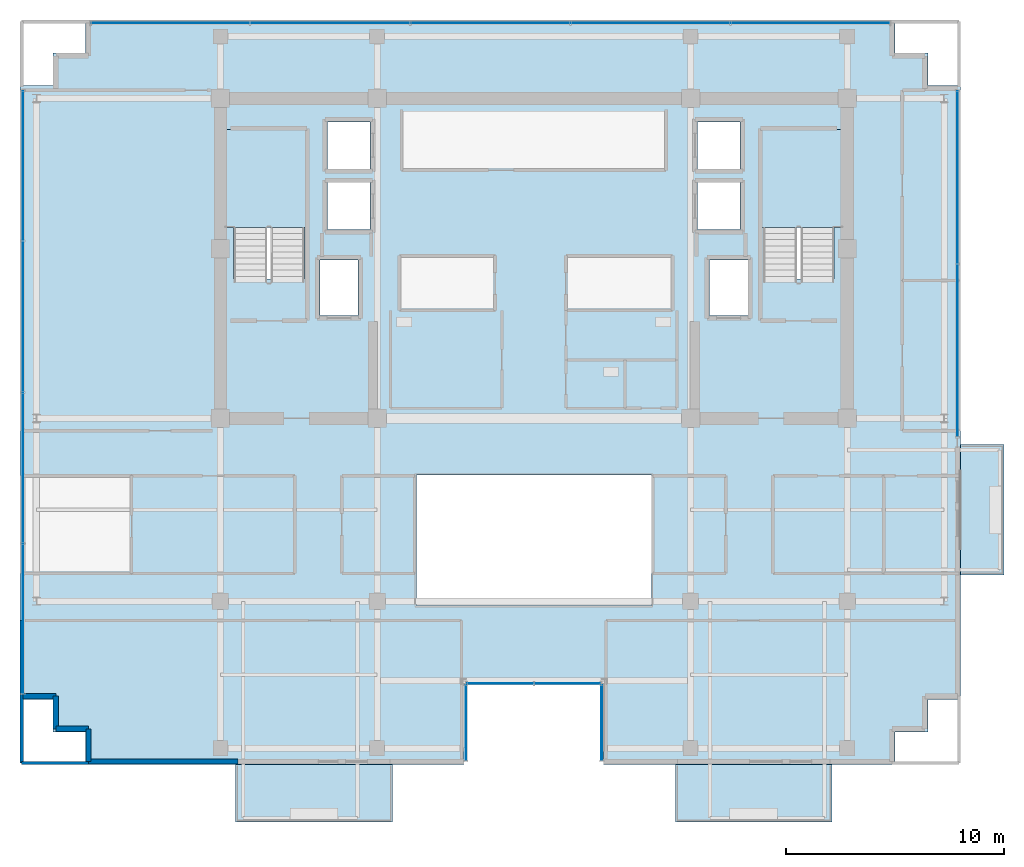
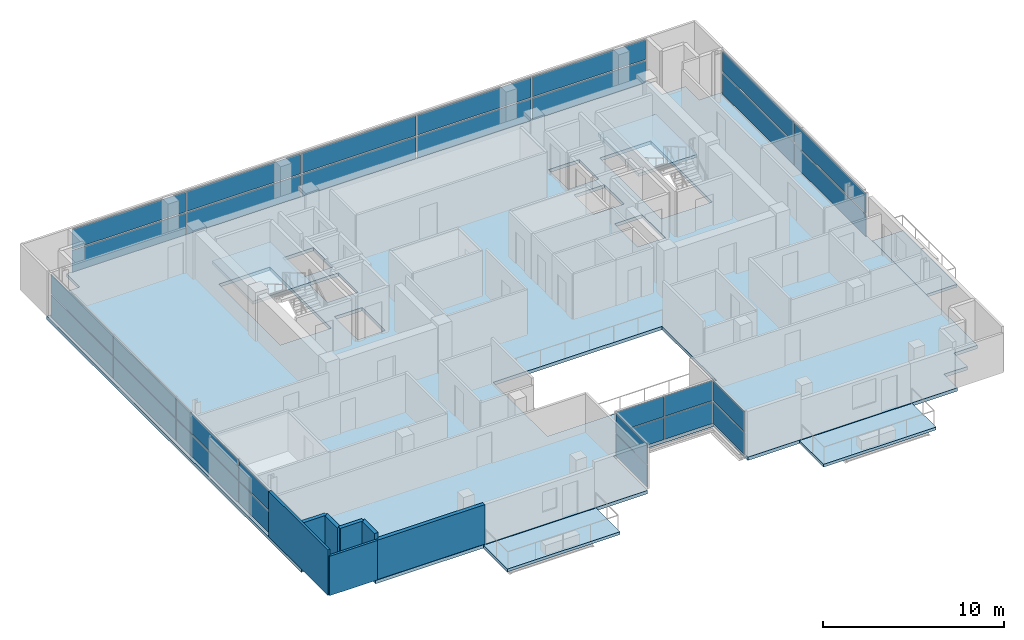
# One storey, part 15 of 23: 30 plates, 7 walls, 6 slabs, 8 elements without a shape of their own.
"""IFC4 building model written with IfcOpenShell, lengths in metres."""

from ifc_helpers import new_model, si_unit, direction, frame, frame_2d, origin, origin_2d, place, context, subcontext, project, spatial, polyline, rectangle, outline, extrude, source, transform, mapped, material, layer, layer_set, type_object, element, aggregate, save


model = new_model("IFC4")

# Units and contexts
model_context = context("Model", 3, precision=1e-05, world=origin(), true_north=direction((0.0, 1.0)))
body_context = subcontext(model_context, "Body", "Model", "MODEL_VIEW")
ifc_project = project(units=[si_unit("LENGTHUNIT", "METRE"), si_unit("AREAUNIT", "SQUARE_METRE"), si_unit("VOLUMEUNIT", "CUBIC_METRE"), si_unit("PLANEANGLEUNIT", "RADIAN"), si_unit("MASSUNIT", "GRAM", prefix="KILO")], contexts=[model_context])

# Site, building, storey
site_placement = place(None, origin())
site = spatial("IfcSite", under=ifc_project, at=site_placement, CompositionType="ELEMENT")
building_placement = place(site_placement, origin())
building = spatial("IfcBuilding", under=site, at=building_placement, Name="Zarnakvel Exchange Tower", CompositionType="ELEMENT")
storey_placement = place(building_placement, frame((0.0, 0.0, 218.800048828125)))
storey = spatial("IfcBuildingStorey", under=building, at=storey_placement, Name="L61", CompositionType="ELEMENT", Elevation=218.800048828125)

# Stair, slab
ifc_material_1 = material(Name="Concrete C40/50", Category="concrete")
stair_type = type_object("IfcStairType", Name="STR-01", PredefinedType="HALF_TURN_STAIR", material=ifc_material_1)
stair_1_placement = place(storey_placement, origin())
stair_1 = element("IfcStair", 1, at=stair_1_placement, inside=storey, type_object=stair_type, Name="L61 Protected Core Exit Stair ST-01", PredefinedType="HALF_TURN_STAIR")
ifc_layer_1 = layer(ifc_material_1, 0.199951171875)
ifc_layer_set_1 = layer_set([ifc_layer_1], Name="Concrete C40/50")
slab_type_1 = type_object("IfcSlabType", Name="LDG-01", PredefinedType="LANDING", material=ifc_layer_set_1)
slab_1_placement = place(storey_placement, frame((0.0, 0.0, 1.449951171875)))
slab_1 = element("IfcSlab", 2, at=slab_1_placement, type_object=slab_type_1, Name="ST-01 landing 1", PredefinedType="LANDING", context=body_context, shape_type="SweptSolid", body=[
    extrude(outline(polyline([(-14.18994140625, 7.570068359375), (-10.4599609375, 7.570068359375), (-10.4599609375, 12.080078125), (-14.18994140625, 12.080078125), (-14.18994140625, 7.570068359375)])), origin(), (0.0, 0.0, 1.0), 0.199951171875),
])
aggregate(stair_1, [slab_1])

stair_2_placement = place(storey_placement, origin())
stair_2 = element("IfcStair", 3, at=stair_2_placement, inside=storey, type_object=stair_type, Name="L61 Protected Core Exit Stair ST-02", PredefinedType="HALF_TURN_STAIR")
slab_2_placement = place(storey_placement, frame((0.0, 0.0, 1.449951171875)))
slab_2 = element("IfcSlab", 4, at=slab_2_placement, type_object=slab_type_1, Name="ST-02 landing 1", PredefinedType="LANDING", context=body_context, shape_type="SweptSolid", body=[
    extrude(outline(polyline([(10.4599609375, 7.570068359375), (14.18994140625, 7.570068359375), (14.18994140625, 12.080078125), (10.4599609375, 12.080078125), (10.4599609375, 7.570068359375)])), origin(), (0.0, 0.0, 1.0), 0.199951171875),
])
aggregate(stair_2, [slab_2])

# Slabs
ifc_layer_2 = layer(ifc_material_1, 0.22509765625)
ifc_layer_set_2 = layer_set([ifc_layer_2], Name="Concrete C40/50")
slab_type_2 = type_object("IfcSlabType", Name="SL-04", PredefinedType="FLOOR", material=ifc_layer_set_2)
slab_3_placement = place(storey_placement, frame((0.0, 0.0, -0.22509765625)))
element("IfcSlab", 5, at=slab_3_placement, inside=storey, type_object=slab_type_2, Name="L61 Primary Structural Floor Slab", PredefinedType="FLOOR", context=body_context, shape_type="SweptSolid", body=[
    extrude(outline(polyline([(-23.60009765625, -14.10009765625), (-22.10009765625, -14.10009765625), (-22.10009765625, -15.60009765625), (-20.60009765625, -15.60009765625), (-20.60009765625, -17.10009765625), (-3.199951171875, -17.10009765625), (-3.199951171875, -13.300048828125), (3.199951171875, -13.300048828125), (3.199951171875, -17.10009765625), (16.60009765625, -17.10009765625), (16.60009765625, -15.60009765625), (18.10009765625, -15.60009765625), (18.10009765625, -14.10009765625), (19.60009765625, -14.10009765625), (19.60009765625, 14.10009765625), (18.10009765625, 14.10009765625), (18.10009765625, 15.60009765625), (16.60009765625, 15.60009765625), (16.60009765625, 17.10009765625), (-20.60009765625, 17.10009765625), (-20.60009765625, 15.60009765625), (-22.10009765625, 15.60009765625), (-22.10009765625, 14.10009765625), (-23.60009765625, 14.10009765625), (-23.60009765625, -14.10009765625)]), holes=[polyline([(-5.39990234375, -9.800048828125), (5.39990234375, -9.800048828125), (5.39990234375, -3.800048828125), (-5.39990234375, -3.800048828125), (-5.39990234375, -9.800048828125)]), polyline([(-13.800048828125, 5.2099609375), (-10.5400390625, 5.2099609375), (-10.5400390625, 12.0), (-13.800048828125, 12.0), (-13.800048828125, 5.2099609375)]), polyline([(10.5400390625, 5.2099609375), (13.800048828125, 5.2099609375), (13.800048828125, 12.0), (10.5400390625, 12.0), (10.5400390625, 5.2099609375)]), polyline([(-9.830078125, 3.52001953125), (-8.070068359375, 3.52001953125), (-8.070068359375, 6.080078125), (-9.830078125, 6.080078125), (-9.830078125, 3.52001953125)]), polyline([(8.070068359375, 3.52001953125), (9.830078125, 3.52001953125), (9.830078125, 6.080078125), (8.070068359375, 6.080078125), (8.070068359375, 3.52001953125)]), polyline([(-9.47998046875, 7.469970703125), (-7.52001953125, 7.469970703125), (-7.52001953125, 9.6298828125), (-9.47998046875, 9.6298828125), (-9.47998046875, 7.469970703125)]), polyline([(-9.47998046875, 10.27001953125), (-7.52001953125, 10.27001953125), (-7.52001953125, 12.429931640625), (-9.47998046875, 12.429931640625), (-9.47998046875, 10.27001953125)]), polyline([(7.52001953125, 7.469970703125), (9.47998046875, 7.469970703125), (9.47998046875, 9.6298828125), (7.52001953125, 9.6298828125), (7.52001953125, 7.469970703125)]), polyline([(7.52001953125, 10.27001953125), (9.47998046875, 10.27001953125), (9.47998046875, 12.429931640625), (7.52001953125, 12.429931640625), (7.52001953125, 10.27001953125)])]), origin(), (0.0, 0.0, 1.0), 0.22509765625),
])
ifc_layer_3 = layer(ifc_material_1, 0.18994140625)
ifc_layer_set_3 = layer_set([ifc_layer_3], Name="Concrete C40/50")
slab_type_3 = type_object("IfcSlabType", Name="SL-08", PredefinedType="USERDEFINED", material=ifc_layer_set_3)
slab_4_placement = place(storey_placement, frame((0.0, 0.0, -0.22509765625)))
element("IfcSlab", 6, at=slab_4_placement, inside=storey, type_object=slab_type_3, Name="L61 Planted Loggia Balcony Slab BAL-L61-SW", ObjectType="BALCONY", PredefinedType="USERDEFINED", context=body_context, shape_type="SweptSolid", body=[
    extrude(outline(polyline([(-13.699951171875, -19.75), (-6.5, -19.75), (-6.5, -17.10009765625), (-13.699951171875, -17.10009765625), (-13.699951171875, -19.75)])), origin(), (0.0, 0.0, 1.0), 0.18994140625),
])
slab_5_placement = place(storey_placement, frame((0.0, 0.0, -0.22509765625)))
element("IfcSlab", 7, at=slab_5_placement, inside=storey, type_object=slab_type_3, Name="L61 Planted Loggia Balcony Slab BAL-L61-SE", ObjectType="BALCONY", PredefinedType="USERDEFINED", context=body_context, shape_type="SweptSolid", body=[
    extrude(outline(polyline([(6.5, -19.75), (13.699951171875, -19.75), (13.699951171875, -17.10009765625), (6.5, -17.10009765625), (6.5, -19.75)])), origin(), (0.0, 0.0, 1.0), 0.18994140625),
])
slab_6_placement = place(storey_placement, frame((0.0, 0.0, -0.22509765625)))
element("IfcSlab", 8, at=slab_6_placement, inside=storey, type_object=slab_type_3, Name="L61 Planted Loggia Balcony Slab BAL-L61-E", ObjectType="BALCONY", PredefinedType="USERDEFINED", context=body_context, shape_type="SweptSolid", body=[
    extrude(outline(polyline([(19.60009765625, -8.39990234375), (21.60009765625, -8.39990234375), (21.60009765625, -2.39990234375), (19.60009765625, -2.39990234375), (19.60009765625, -8.39990234375)])), origin(), (0.0, 0.0, 1.0), 0.18994140625),
])

# Curtain wall, plate
ifc_material_2 = material(Name="Architectural Bronze Anodised Aluminium", Category="aluminium")
ifc_layer_4 = layer(ifc_material_2, 0.179931640625)
ifc_layer_set_4 = layer_set([ifc_layer_4], Name="Architectural Bronze Anodised Aluminium")
curtain_wall_type_1 = type_object("IfcCurtainWallType", Name="CW-05", PredefinedType="NOTDEFINED", material=ifc_layer_set_4)
curtain_wall_1_placement = place(storey_placement, origin())
curtain_wall_1 = element("IfcCurtainWall", 9, at=curtain_wall_1_placement, inside=storey, type_object=curtain_wall_type_1, Name="L61 Curtain Wall CW-L61-SLW (CW-05)", PredefinedType="NOTDEFINED")
ifc_material_3 = material(Name="Double Low-E Laminated Vision Glass", Category="glass")
ifc_layer_5 = layer(ifc_material_3, 0.02587890625)
ifc_layer_set_5 = layer_set([ifc_layer_5], Name="Double Low-E Laminated Vision Glass")
plate_type_1 = type_object("IfcPlateType", Name="CWP-05", PredefinedType="CURTAIN_PANEL", material=ifc_layer_set_5)
shared_shape_1 = source(origin(), body_context, "Body", "SweptSolid", [
    extrude(rectangle(XDim=3.4599609375, YDim=0.02587890625, at=origin_2d()), origin(), (0.0, 0.0, 1.0), 1.483642578125),
])
plate_1_placement = place(storey_placement, frame((-3.1201171875, -15.179931640625, 0.06982421875), z_axis=(0.0, 0.0, 1.0), x_axis=(0.0, 1.0, 0.0)))
plate_1 = element("IfcPlate", 10, at=plate_1_placement, type_object=plate_type_1, Name="CW-05 panel 1.1", PredefinedType="CURTAIN_PANEL", context=body_context, shape_type="MappedRepresentation", body=[
    mapped(shared_shape_1, transform((0.0, 0.0, 0.0), x_axis=(1.0, 0.0, 0.0), y_axis=(0.0, 1.0, 0.0), z_axis=(0.0, 0.0, 1.0), scale=1.0)),
])

curtain_wall_2_placement = place(storey_placement, origin())
curtain_wall_2 = element("IfcCurtainWall", 11, at=curtain_wall_2_placement, inside=storey, type_object=curtain_wall_type_1, Name="L61 Curtain Wall CW-L61-SLE (CW-05)", PredefinedType="NOTDEFINED")
plate_2_placement = place(storey_placement, frame((3.1201171875, -15.179931640625, 0.06982421875), z_axis=(0.0, 0.0, 1.0), x_axis=(0.0, -1.0, 0.0)))
plate_2 = element("IfcPlate", 12, at=plate_2_placement, type_object=plate_type_1, Name="CW-05 panel 1.1", PredefinedType="CURTAIN_PANEL", context=body_context, shape_type="MappedRepresentation", body=[
    mapped(shared_shape_1, transform((0.0, 0.0, 0.0), x_axis=(1.0, 0.0, 0.0), y_axis=(0.0, 1.0, 0.0), z_axis=(0.0, 0.0, 1.0), scale=1.0)),
])

# Plate
shared_shape_2 = source(origin(), body_context, "Body", "SweptSolid", [
    extrude(rectangle(XDim=3.4599609375, YDim=0.02587890625, at=origin_2d()), origin(), (0.0, 0.0, 1.0), 1.361328125),
])
plate_3_placement = place(storey_placement, frame((-3.1201171875, -15.179931640625, 1.62353515625), z_axis=(0.0, 0.0, 1.0), x_axis=(0.0, 1.0, 0.0)))
plate_3 = element("IfcPlate", 13, at=plate_3_placement, type_object=plate_type_1, Name="CW-05 panel 1.2", PredefinedType="CURTAIN_PANEL", context=body_context, shape_type="MappedRepresentation", body=[
    mapped(shared_shape_2, transform((0.0, 0.0, 0.0), x_axis=(1.0, 0.0, 0.0), y_axis=(0.0, 1.0, 0.0), z_axis=(0.0, 0.0, 1.0), scale=1.0)),
])

aggregate(curtain_wall_1, [plate_1, plate_3])

plate_4_placement = place(storey_placement, frame((3.1201171875, -15.179931640625, 1.62353515625), z_axis=(0.0, 0.0, 1.0), x_axis=(0.0, -1.0, 0.0)))
plate_4 = element("IfcPlate", 14, at=plate_4_placement, type_object=plate_type_1, Name="CW-05 panel 1.2", PredefinedType="CURTAIN_PANEL", context=body_context, shape_type="MappedRepresentation", body=[
    mapped(shared_shape_2, transform((0.0, 0.0, 0.0), x_axis=(1.0, 0.0, 0.0), y_axis=(0.0, 1.0, 0.0), z_axis=(0.0, 0.0, 1.0), scale=1.0)),
])

aggregate(curtain_wall_2, [plate_2, plate_4])

# Curtain wall, plates
curtain_wall_3_placement = place(storey_placement, origin())
curtain_wall_3 = element("IfcCurtainWall", 15, at=curtain_wall_3_placement, inside=storey, type_object=curtain_wall_type_1, Name="L61 Curtain Wall CW-L61-SLB (CW-05)", PredefinedType="NOTDEFINED")
shared_shape_3 = source(origin(), body_context, "Body", "SweptSolid", [
    extrude(rectangle(XDim=3.014892578125, YDim=0.02587890625, at=origin_2d()), origin(), (0.0, 0.0, 1.0), 1.483642578125),
])
plate_5_placement = place(storey_placement, frame((-1.54248046875, -13.3798828125, 0.06982421875), z_axis=(0.0, 0.0, 1.0), x_axis=(1.0, 0.0, 0.0)))
plate_5 = element("IfcPlate", 16, at=plate_5_placement, type_object=plate_type_1, Name="CW-05 panel 1.1", PredefinedType="CURTAIN_PANEL", context=body_context, shape_type="MappedRepresentation", body=[
    mapped(shared_shape_3, transform((0.0, 0.0, 0.0), x_axis=(1.0, 0.0, 0.0), y_axis=(0.0, 1.0, 0.0), z_axis=(0.0, 0.0, 1.0), scale=1.0)),
])
plate_6_placement = place(storey_placement, frame((1.54248046875, -13.3798828125, 0.06982421875), z_axis=(0.0, 0.0, 1.0), x_axis=(1.0, 0.0, 0.0)))
plate_6 = element("IfcPlate", 17, at=plate_6_placement, type_object=plate_type_1, Name="CW-05 panel 2.1", PredefinedType="CURTAIN_PANEL", context=body_context, shape_type="MappedRepresentation", body=[
    mapped(shared_shape_3, transform((0.0, 0.0, 0.0), x_axis=(1.0, 0.0, 0.0), y_axis=(0.0, 1.0, 0.0), z_axis=(0.0, 0.0, 1.0), scale=1.0)),
])
shared_shape_4 = source(origin(), body_context, "Body", "SweptSolid", [
    extrude(rectangle(XDim=3.014892578125, YDim=0.02587890625, at=origin_2d()), origin(), (0.0, 0.0, 1.0), 1.361328125),
])
plate_7_placement = place(storey_placement, frame((-1.54248046875, -13.3798828125, 1.62353515625), z_axis=(0.0, 0.0, 1.0), x_axis=(1.0, 0.0, 0.0)))
plate_7 = element("IfcPlate", 18, at=plate_7_placement, type_object=plate_type_1, Name="CW-05 panel 1.2", PredefinedType="CURTAIN_PANEL", context=body_context, shape_type="MappedRepresentation", body=[
    mapped(shared_shape_4, transform((0.0, 0.0, 0.0), x_axis=(1.0, 0.0, 0.0), y_axis=(0.0, 1.0, 0.0), z_axis=(0.0, 0.0, 1.0), scale=1.0)),
])
plate_8_placement = place(storey_placement, frame((1.54248046875, -13.3798828125, 1.62353515625), z_axis=(0.0, 0.0, 1.0), x_axis=(1.0, 0.0, 0.0)))
plate_8 = element("IfcPlate", 19, at=plate_8_placement, type_object=plate_type_1, Name="CW-05 panel 2.2", PredefinedType="CURTAIN_PANEL", context=body_context, shape_type="MappedRepresentation", body=[
    mapped(shared_shape_4, transform((0.0, 0.0, 0.0), x_axis=(1.0, 0.0, 0.0), y_axis=(0.0, 1.0, 0.0), z_axis=(0.0, 0.0, 1.0), scale=1.0)),
])
aggregate(curtain_wall_3, [plate_5, plate_7, plate_6, plate_8])

ifc_layer_6 = layer(ifc_material_2, 0.199951171875)
ifc_layer_set_6 = layer_set([ifc_layer_6], Name="Architectural Bronze Anodised Aluminium")
curtain_wall_type_2 = type_object("IfcCurtainWallType", Name="CW-04", PredefinedType="NOTDEFINED", material=ifc_layer_set_6)
curtain_wall_4_placement = place(storey_placement, origin())
curtain_wall_4 = element("IfcCurtainWall", 20, at=curtain_wall_4_placement, inside=storey, type_object=curtain_wall_type_2, Name="L61 Curtain Wall CW-L61-W1 (CW-04)", PredefinedType="NOTDEFINED")
ifc_layer_7 = layer(ifc_material_3, 0.028076171875)
ifc_layer_set_7 = layer_set([ifc_layer_7], Name="Double Low-E Laminated Vision Glass")
plate_type_2 = type_object("IfcPlateType", Name="CWP-04", PredefinedType="CURTAIN_PANEL", material=ifc_layer_set_7)
shared_shape_5 = source(origin(), body_context, "Body", "SweptSolid", [
    extrude(rectangle(XDim=6.83740234375, YDim=0.028076171875, at=origin_2d()), origin(), (0.0, 0.0, 1.0), 1.47607421875),
])
plate_9_placement = place(storey_placement, frame((-23.4599609375, -10.40625, 0.074951171875), z_axis=(0.0, 0.0, 1.0), x_axis=(0.0, 1.0, 0.0)))
plate_9 = element("IfcPlate", 21, at=plate_9_placement, type_object=plate_type_2, Name="CW-04 panel 1.1", PredefinedType="CURTAIN_PANEL", context=body_context, shape_type="MappedRepresentation", body=[
    mapped(shared_shape_5, transform((0.0, 0.0, 0.0), x_axis=(1.0, 0.0, 0.0), y_axis=(0.0, 1.0, 0.0), z_axis=(0.0, 0.0, 1.0), scale=1.0)),
])
plate_10_placement = place(storey_placement, frame((-23.4599609375, 10.40625, 0.074951171875), z_axis=(0.0, 0.0, 1.0), x_axis=(0.0, 1.0, 0.0)))
plate_10 = element("IfcPlate", 22, at=plate_10_placement, type_object=plate_type_2, Name="CW-04 panel 4.1", PredefinedType="CURTAIN_PANEL", context=body_context, shape_type="MappedRepresentation", body=[
    mapped(shared_shape_5, transform((0.0, 0.0, 0.0), x_axis=(1.0, 0.0, 0.0), y_axis=(0.0, 1.0, 0.0), z_axis=(0.0, 0.0, 1.0), scale=1.0)),
])
shared_shape_6 = source(origin(), body_context, "Body", "SweptSolid", [
    extrude(rectangle(XDim=6.83740234375, YDim=0.028076171875, at=origin_2d()), origin(), (0.0, 0.0, 1.0), 1.35400390625),
])
plate_11_placement = place(storey_placement, frame((-23.4599609375, -10.40625, 1.6259765625), z_axis=(0.0, 0.0, 1.0), x_axis=(0.0, 1.0, 0.0)))
plate_11 = element("IfcPlate", 23, at=plate_11_placement, type_object=plate_type_2, Name="CW-04 panel 1.2", PredefinedType="CURTAIN_PANEL", context=body_context, shape_type="MappedRepresentation", body=[
    mapped(shared_shape_6, transform((0.0, 0.0, 0.0), x_axis=(1.0, 0.0, 0.0), y_axis=(0.0, 1.0, 0.0), z_axis=(0.0, 0.0, 1.0), scale=1.0)),
])
plate_12_placement = place(storey_placement, frame((-23.4599609375, 10.40625, 1.6259765625), z_axis=(0.0, 0.0, 1.0), x_axis=(0.0, 1.0, 0.0)))
plate_12 = element("IfcPlate", 24, at=plate_12_placement, type_object=plate_type_2, Name="CW-04 panel 4.2", PredefinedType="CURTAIN_PANEL", context=body_context, shape_type="MappedRepresentation", body=[
    mapped(shared_shape_6, transform((0.0, 0.0, 0.0), x_axis=(1.0, 0.0, 0.0), y_axis=(0.0, 1.0, 0.0), z_axis=(0.0, 0.0, 1.0), scale=1.0)),
])
shared_shape_7 = source(origin(), body_context, "Body", "SweptSolid", [
    extrude(rectangle(XDim=6.875, YDim=0.028076171875, at=origin_2d()), origin(), (0.0, 0.0, 1.0), 1.47607421875),
])
plate_13_placement = place(storey_placement, frame((-23.4599609375, -3.47509765625, 0.074951171875), z_axis=(0.0, 0.0, 1.0), x_axis=(0.0, 1.0, 0.0)))
plate_13 = element("IfcPlate", 25, at=plate_13_placement, type_object=plate_type_2, Name="CW-04 panel 2.1", PredefinedType="CURTAIN_PANEL", context=body_context, shape_type="MappedRepresentation", body=[
    mapped(shared_shape_7, transform((0.0, 0.0, 0.0), x_axis=(1.0, 0.0, 0.0), y_axis=(0.0, 1.0, 0.0), z_axis=(0.0, 0.0, 1.0), scale=1.0)),
])
plate_14_placement = place(storey_placement, frame((-23.4599609375, 3.47509765625, 0.074951171875), z_axis=(0.0, 0.0, 1.0), x_axis=(0.0, 1.0, 0.0)))
plate_14 = element("IfcPlate", 26, at=plate_14_placement, type_object=plate_type_2, Name="CW-04 panel 3.1", PredefinedType="CURTAIN_PANEL", context=body_context, shape_type="MappedRepresentation", body=[
    mapped(shared_shape_7, transform((0.0, 0.0, 0.0), x_axis=(1.0, 0.0, 0.0), y_axis=(0.0, 1.0, 0.0), z_axis=(0.0, 0.0, 1.0), scale=1.0)),
])
shared_shape_8 = source(origin(), body_context, "Body", "SweptSolid", [
    extrude(rectangle(XDim=6.875, YDim=0.028076171875, at=origin_2d()), origin(), (0.0, 0.0, 1.0), 1.35400390625),
])
plate_15_placement = place(storey_placement, frame((-23.4599609375, -3.47509765625, 1.6259765625), z_axis=(0.0, 0.0, 1.0), x_axis=(0.0, 1.0, 0.0)))
plate_15 = element("IfcPlate", 27, at=plate_15_placement, type_object=plate_type_2, Name="CW-04 panel 2.2", PredefinedType="CURTAIN_PANEL", context=body_context, shape_type="MappedRepresentation", body=[
    mapped(shared_shape_8, transform((0.0, 0.0, 0.0), x_axis=(1.0, 0.0, 0.0), y_axis=(0.0, 1.0, 0.0), z_axis=(0.0, 0.0, 1.0), scale=1.0)),
])
plate_16_placement = place(storey_placement, frame((-23.4599609375, 3.47509765625, 1.6259765625), z_axis=(0.0, 0.0, 1.0), x_axis=(0.0, 1.0, 0.0)))
plate_16 = element("IfcPlate", 28, at=plate_16_placement, type_object=plate_type_2, Name="CW-04 panel 3.2", PredefinedType="CURTAIN_PANEL", context=body_context, shape_type="MappedRepresentation", body=[
    mapped(shared_shape_8, transform((0.0, 0.0, 0.0), x_axis=(1.0, 0.0, 0.0), y_axis=(0.0, 1.0, 0.0), z_axis=(0.0, 0.0, 1.0), scale=1.0)),
])
aggregate(curtain_wall_4, [plate_9, plate_11, plate_13, plate_15, plate_14, plate_16, plate_10, plate_12])

curtain_wall_5_placement = place(storey_placement, origin())
curtain_wall_5 = element("IfcCurtainWall", 29, at=curtain_wall_5_placement, inside=storey, type_object=curtain_wall_type_2, Name="L61 Curtain Wall CW-L61-EN (CW-04)", PredefinedType="NOTDEFINED")
shared_shape_9 = source(origin(), body_context, "Body", "SweptSolid", [
    extrude(rectangle(XDim=7.887451171875, YDim=0.028076171875, at=origin_2d()), origin(), (0.0, 0.0, 1.0), 1.47607421875),
])
plate_17_placement = place(storey_placement, frame((19.4599609375, 1.918701171875, 0.074951171875), z_axis=(0.0, 0.0, 1.0), x_axis=(0.0, 1.0, 0.0)))
plate_17 = element("IfcPlate", 30, at=plate_17_placement, type_object=plate_type_2, Name="CW-04 panel 1.1", PredefinedType="CURTAIN_PANEL", context=body_context, shape_type="MappedRepresentation", body=[
    mapped(shared_shape_9, transform((0.0, 0.0, 0.0), x_axis=(1.0, 0.0, 0.0), y_axis=(0.0, 1.0, 0.0), z_axis=(0.0, 0.0, 1.0), scale=1.0)),
])
plate_18_placement = place(storey_placement, frame((19.4599609375, 9.88134765625, 0.074951171875), z_axis=(0.0, 0.0, 1.0), x_axis=(0.0, 1.0, 0.0)))
plate_18 = element("IfcPlate", 31, at=plate_18_placement, type_object=plate_type_2, Name="CW-04 panel 2.1", PredefinedType="CURTAIN_PANEL", context=body_context, shape_type="MappedRepresentation", body=[
    mapped(shared_shape_9, transform((0.0, 0.0, 0.0), x_axis=(1.0, 0.0, 0.0), y_axis=(0.0, 1.0, 0.0), z_axis=(0.0, 0.0, 1.0), scale=1.0)),
])
shared_shape_10 = source(origin(), body_context, "Body", "SweptSolid", [
    extrude(rectangle(XDim=7.887451171875, YDim=0.028076171875, at=origin_2d()), origin(), (0.0, 0.0, 1.0), 1.35400390625),
])
plate_19_placement = place(storey_placement, frame((19.4599609375, 1.918701171875, 1.6259765625), z_axis=(0.0, 0.0, 1.0), x_axis=(0.0, 1.0, 0.0)))
plate_19 = element("IfcPlate", 32, at=plate_19_placement, type_object=plate_type_2, Name="CW-04 panel 1.2", PredefinedType="CURTAIN_PANEL", context=body_context, shape_type="MappedRepresentation", body=[
    mapped(shared_shape_10, transform((0.0, 0.0, 0.0), x_axis=(1.0, 0.0, 0.0), y_axis=(0.0, 1.0, 0.0), z_axis=(0.0, 0.0, 1.0), scale=1.0)),
])
plate_20_placement = place(storey_placement, frame((19.4599609375, 9.88134765625, 1.6259765625), z_axis=(0.0, 0.0, 1.0), x_axis=(0.0, 1.0, 0.0)))
plate_20 = element("IfcPlate", 33, at=plate_20_placement, type_object=plate_type_2, Name="CW-04 panel 2.2", PredefinedType="CURTAIN_PANEL", context=body_context, shape_type="MappedRepresentation", body=[
    mapped(shared_shape_10, transform((0.0, 0.0, 0.0), x_axis=(1.0, 0.0, 0.0), y_axis=(0.0, 1.0, 0.0), z_axis=(0.0, 0.0, 1.0), scale=1.0)),
])
aggregate(curtain_wall_5, [plate_17, plate_19, plate_18, plate_20])

ifc_layer_8 = layer(ifc_material_2, 0.219970703125)
ifc_layer_set_8 = layer_set([ifc_layer_8], Name="Architectural Bronze Anodised Aluminium")
curtain_wall_type_3 = type_object("IfcCurtainWallType", Name="CW-03", PredefinedType="NOTDEFINED", material=ifc_layer_set_8)
curtain_wall_6_placement = place(storey_placement, origin())
curtain_wall_6 = element("IfcCurtainWall", 34, at=curtain_wall_6_placement, inside=storey, type_object=curtain_wall_type_3, Name="L61 Curtain Wall CW-L61-N1 (CW-03)", PredefinedType="NOTDEFINED")
ifc_layer_9 = layer(ifc_material_3, 0.030029296875)
ifc_layer_set_9 = layer_set([ifc_layer_9], Name="Double Low-E Laminated Vision Glass")
plate_type_3 = type_object("IfcPlateType", Name="CWP-03", PredefinedType="CURTAIN_PANEL", material=ifc_layer_set_9)
shared_shape_11 = source(origin(), body_context, "Body", "SweptSolid", [
    extrude(rectangle(XDim=7.239990234375, YDim=0.030029296875, at=origin_2d()), origin(), (0.0, 0.0, 1.0), 1.468505859375),
])
plate_21_placement = place(storey_placement, frame((-16.699951171875, 16.9599609375, 0.080078125), z_axis=(0.0, 0.0, 1.0), x_axis=(1.0, 0.0, 0.0)))
plate_21 = element("IfcPlate", 35, at=plate_21_placement, type_object=plate_type_3, Name="CW-03 panel 1.1", PredefinedType="CURTAIN_PANEL", context=body_context, shape_type="MappedRepresentation", body=[
    mapped(shared_shape_11, transform((0.0, 0.0, 0.0), x_axis=(1.0, 0.0, 0.0), y_axis=(0.0, 1.0, 0.0), z_axis=(0.0, 0.0, 1.0), scale=1.0)),
])
plate_22_placement = place(storey_placement, frame((12.699951171875, 16.9599609375, 0.080078125), z_axis=(0.0, 0.0, 1.0), x_axis=(1.0, 0.0, 0.0)))
plate_22 = element("IfcPlate", 36, at=plate_22_placement, type_object=plate_type_3, Name="CW-03 panel 5.1", PredefinedType="CURTAIN_PANEL", context=body_context, shape_type="MappedRepresentation", body=[
    mapped(shared_shape_11, transform((0.0, 0.0, 0.0), x_axis=(1.0, 0.0, 0.0), y_axis=(0.0, 1.0, 0.0), z_axis=(0.0, 0.0, 1.0), scale=1.0)),
])
shared_shape_12 = source(origin(), body_context, "Body", "SweptSolid", [
    extrude(rectangle(XDim=7.239990234375, YDim=0.030029296875, at=origin_2d()), origin(), (0.0, 0.0, 1.0), 1.346435546875),
])
plate_23_placement = place(storey_placement, frame((-16.699951171875, 16.9599609375, 1.62841796875), z_axis=(0.0, 0.0, 1.0), x_axis=(1.0, 0.0, 0.0)))
plate_23 = element("IfcPlate", 37, at=plate_23_placement, type_object=plate_type_3, Name="CW-03 panel 1.2", PredefinedType="CURTAIN_PANEL", context=body_context, shape_type="MappedRepresentation", body=[
    mapped(shared_shape_12, transform((0.0, 0.0, 0.0), x_axis=(1.0, 0.0, 0.0), y_axis=(0.0, 1.0, 0.0), z_axis=(0.0, 0.0, 1.0), scale=1.0)),
])
plate_24_placement = place(storey_placement, frame((12.699951171875, 16.9599609375, 1.62841796875), z_axis=(0.0, 0.0, 1.0), x_axis=(1.0, 0.0, 0.0)))
plate_24 = element("IfcPlate", 38, at=plate_24_placement, type_object=plate_type_3, Name="CW-03 panel 5.2", PredefinedType="CURTAIN_PANEL", context=body_context, shape_type="MappedRepresentation", body=[
    mapped(shared_shape_12, transform((0.0, 0.0, 0.0), x_axis=(1.0, 0.0, 0.0), y_axis=(0.0, 1.0, 0.0), z_axis=(0.0, 0.0, 1.0), scale=1.0)),
])
shared_shape_13 = source(origin(), body_context, "Body", "SweptSolid", [
    extrude(rectangle(XDim=7.280029296875, YDim=0.030029296875, at=origin_2d()), origin(), (0.0, 0.0, 1.0), 1.468505859375),
])
plate_25_placement = place(storey_placement, frame((-9.360107421875, 16.9599609375, 0.080078125), z_axis=(0.0, 0.0, 1.0), x_axis=(1.0, 0.0, 0.0)))
plate_25 = element("IfcPlate", 39, at=plate_25_placement, type_object=plate_type_3, Name="CW-03 panel 2.1", PredefinedType="CURTAIN_PANEL", context=body_context, shape_type="MappedRepresentation", body=[
    mapped(shared_shape_13, transform((0.0, 0.0, 0.0), x_axis=(1.0, 0.0, 0.0), y_axis=(0.0, 1.0, 0.0), z_axis=(0.0, 0.0, 1.0), scale=1.0)),
])
plate_26_placement = place(storey_placement, frame((-2.0, 16.9599609375, 0.080078125), z_axis=(0.0, 0.0, 1.0), x_axis=(1.0, 0.0, 0.0)))
plate_26 = element("IfcPlate", 40, at=plate_26_placement, type_object=plate_type_3, Name="CW-03 panel 3.1", PredefinedType="CURTAIN_PANEL", context=body_context, shape_type="MappedRepresentation", body=[
    mapped(shared_shape_13, transform((0.0, 0.0, 0.0), x_axis=(1.0, 0.0, 0.0), y_axis=(0.0, 1.0, 0.0), z_axis=(0.0, 0.0, 1.0), scale=1.0)),
])
plate_27_placement = place(storey_placement, frame((5.360107421875, 16.9599609375, 0.080078125), z_axis=(0.0, 0.0, 1.0), x_axis=(1.0, 0.0, 0.0)))
plate_27 = element("IfcPlate", 41, at=plate_27_placement, type_object=plate_type_3, Name="CW-03 panel 4.1", PredefinedType="CURTAIN_PANEL", context=body_context, shape_type="MappedRepresentation", body=[
    mapped(shared_shape_13, transform((0.0, 0.0, 0.0), x_axis=(1.0, 0.0, 0.0), y_axis=(0.0, 1.0, 0.0), z_axis=(0.0, 0.0, 1.0), scale=1.0)),
])
shared_shape_14 = source(origin(), body_context, "Body", "SweptSolid", [
    extrude(rectangle(XDim=7.280029296875, YDim=0.030029296875, at=origin_2d()), origin(), (0.0, 0.0, 1.0), 1.346435546875),
])
plate_28_placement = place(storey_placement, frame((-9.360107421875, 16.9599609375, 1.62841796875), z_axis=(0.0, 0.0, 1.0), x_axis=(1.0, 0.0, 0.0)))
plate_28 = element("IfcPlate", 42, at=plate_28_placement, type_object=plate_type_3, Name="CW-03 panel 2.2", PredefinedType="CURTAIN_PANEL", context=body_context, shape_type="MappedRepresentation", body=[
    mapped(shared_shape_14, transform((0.0, 0.0, 0.0), x_axis=(1.0, 0.0, 0.0), y_axis=(0.0, 1.0, 0.0), z_axis=(0.0, 0.0, 1.0), scale=1.0)),
])
plate_29_placement = place(storey_placement, frame((-2.0, 16.9599609375, 1.62841796875), z_axis=(0.0, 0.0, 1.0), x_axis=(1.0, 0.0, 0.0)))
plate_29 = element("IfcPlate", 43, at=plate_29_placement, type_object=plate_type_3, Name="CW-03 panel 3.2", PredefinedType="CURTAIN_PANEL", context=body_context, shape_type="MappedRepresentation", body=[
    mapped(shared_shape_14, transform((0.0, 0.0, 0.0), x_axis=(1.0, 0.0, 0.0), y_axis=(0.0, 1.0, 0.0), z_axis=(0.0, 0.0, 1.0), scale=1.0)),
])
plate_30_placement = place(storey_placement, frame((5.360107421875, 16.9599609375, 1.62841796875), z_axis=(0.0, 0.0, 1.0), x_axis=(1.0, 0.0, 0.0)))
plate_30 = element("IfcPlate", 44, at=plate_30_placement, type_object=plate_type_3, Name="CW-03 panel 4.2", PredefinedType="CURTAIN_PANEL", context=body_context, shape_type="MappedRepresentation", body=[
    mapped(shared_shape_14, transform((0.0, 0.0, 0.0), x_axis=(1.0, 0.0, 0.0), y_axis=(0.0, 1.0, 0.0), z_axis=(0.0, 0.0, 1.0), scale=1.0)),
])
aggregate(curtain_wall_6, [plate_21, plate_23, plate_25, plate_28, plate_26, plate_29, plate_27, plate_30, plate_22, plate_24])

# Walls
ifc_material_4 = material(Name="Precast concrete C40/50", Category="concrete")
ifc_layer_10 = layer(ifc_material_4, 0.239990234375)
ifc_layer_set_10 = layer_set([ifc_layer_10], Name="Precast concrete C40/50")
wall_type_1 = type_object("IfcWallType", Name="EW-02", PredefinedType="SOLIDWALL", material=ifc_layer_set_10)
wall_1_placement = place(storey_placement, frame((-20.4599609375, -16.9599609375, 0.0), z_axis=(0.0, 0.0, 1.0), x_axis=(1.0, 0.0, 0.0)))
element("IfcWall", 45, at=wall_1_placement, inside=storey, type_object=wall_type_1, Name="L61 Exterior Precast Spandrel Wall EWC-L61-22 (EW-02)", PredefinedType="SOLIDWALL", context=body_context, shape_type="SweptSolid", body=[
    extrude(rectangle(XDim=6.85986328125, YDim=0.239990234375, at=frame_2d((3.429931640625, 0.0))), origin(), (0.0, 0.0, 1.0), 2.6650390625),
])
for number, where, z_axis, x_axis, name in (
    (46, (-20.4599609375, -15.4599609375, 0.0), (0.0, 0.0, 1.0), (0.0, -1.0, 0.0), "L61 Exterior Precast Spandrel Wall EWC-L61-23 (EW-02)"),
    (47, (-21.9599609375, -15.4599609375, 0.0), (0.0, 0.0, 1.0), (1.0, 0.0, 0.0), "L61 Exterior Precast Spandrel Wall EWC-L61-24 (EW-02)"),
    (48, (-21.9599609375, -13.9599609375, 0.0), (0.0, 0.0, 1.0), (0.0, -1.0, 0.0), "L61 Exterior Precast Spandrel Wall EWC-L61-25 (EW-02)"),
    (49, (-23.4599609375, -13.9599609375, 0.0), (0.0, 0.0, 1.0), (1.0, 0.0, 0.0), "L61 Exterior Precast Spandrel Wall EWC-L61-26 (EW-02)"),
):
    element("IfcWall", number, at=place(storey_placement, frame(where, z_axis=z_axis, x_axis=x_axis)), inside=storey, type_object=wall_type_1, Name=name, PredefinedType="SOLIDWALL", context=body_context, shape_type="SweptSolid", body=[
        extrude(rectangle(XDim=1.5, YDim=0.239990234375, at=frame_2d((0.75, 0.0))), origin(), (0.0, 0.0, 1.0), 3.074951171875),
    ])
ifc_material_5 = material(Name="Fire-Rated Gypsum Stud Partition", Category="gypsum")
ifc_layer_11 = layer(ifc_material_5, 0.14990234375)
ifc_layer_set_11 = layer_set([ifc_layer_11], Name="Fire-Rated Gypsum Stud Partition")
wall_type_2 = type_object("IfcWallType", Name="PT-01", PredefinedType="PARTITIONING", material=ifc_layer_set_11)
wall_2_placement = place(storey_placement, frame((-20.4599609375, -17.030029296875, 0.0), z_axis=(0.0, 0.0, 1.0), x_axis=(-1.0, 0.0, 0.0)))
element("IfcWall", 50, at=wall_2_placement, inside=storey, type_object=wall_type_2, Name="L61 Partition Wall PWALL-L61-040 (PT-01)", PredefinedType="PARTITIONING", context=body_context, shape_type="SweptSolid", body=[
    extrude(rectangle(XDim=3.070068359375, YDim=0.14990234375, at=frame_2d((1.53515625, 0.0))), origin(), (0.0, 0.0, 1.0), 2.6650390625),
])
wall_3_placement = place(storey_placement, frame((-23.530029296875, -17.030029296875, 0.0), z_axis=(0.0, 0.0, 1.0), x_axis=(0.0, 1.0, 0.0)))
element("IfcWall", 51, at=wall_3_placement, inside=storey, type_object=wall_type_2, Name="L61 Partition Wall PWALL-L61-042 (PT-01)", PredefinedType="PARTITIONING", context=body_context, shape_type="SweptSolid", body=[
    extrude(rectangle(XDim=6.550048828125, YDim=0.14990234375, at=frame_2d((3.27490234375, 0.0))), origin(), (0.0, 0.0, 1.0), 3.074951171875),
])

save(model, "model.ifc")
